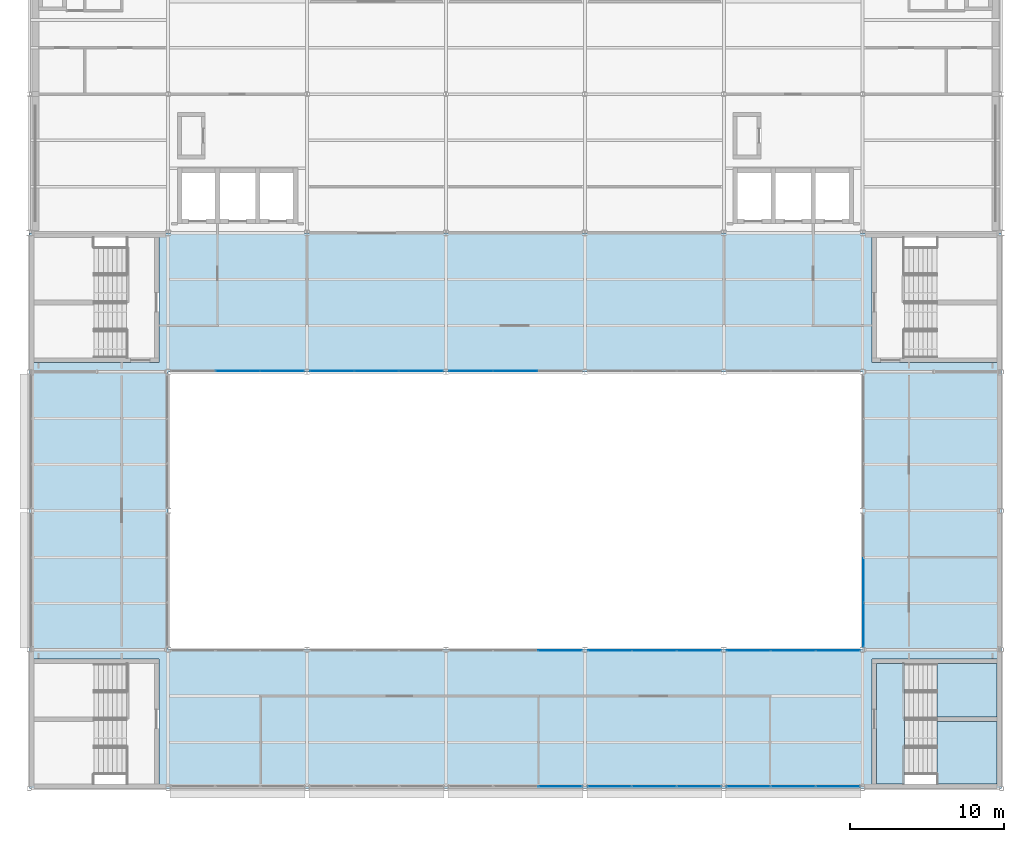
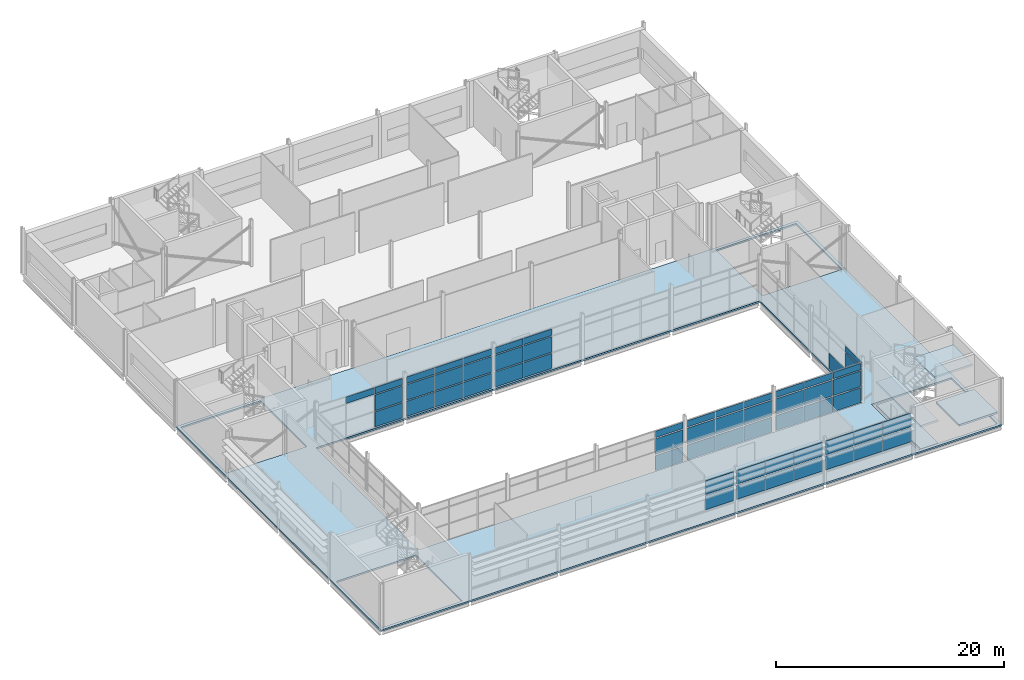
# One storey, part 46 of 61: 58 plates, 5 slabs, 11 elements without a shape of their own.
"""IFC4 building model written with IfcOpenShell, lengths in metres."""

import ifcopenshell
import ifcopenshell.guid

model = None  # the IFC model being written
_history = None  # IfcOwnerHistory: only IFC2X3 demands one
_inside = {}  # id of a spatial element -> (the spatial element, [elements in it])
_under = {}  # id of a project, library or spatial element -> (it, [spatial elements below it])
_declared = {}  # id of a project -> (the project, [libraries it declares])
_typed = {}  # id of a type object -> (the type object, [elements of that type])
_made_of = {}  # id of a material, layer set ... -> (it, [elements and type objects made of it])


def new_model(schema):
    """Start an empty IFC model of exactly this schema.

    Asked for "IFC4X3", IfcOpenShell would pick the latest addendum, in which some entities
    have other attributes; the version numbers below select the first issue.
    IFC2X3 requires an IfcOwnerHistory on every rooted entity: one is made here for all.
    """
    global model, _history
    if schema == "IFC4X3":
        model = ifcopenshell.file(schema_version=(4, 3, 0, 0))
    else:
        model = ifcopenshell.file(schema=schema)
    _inside.clear()
    _under.clear()
    _declared.clear()
    _typed.clear()
    _made_of.clear()
    _history = None
    if model.schema == "IFC2X3":
        org = make("IfcOrganization", Name="unknown")
        user = make(
            "IfcPersonAndOrganization",
            ThePerson=make("IfcPerson", FamilyName="unknown"),
            TheOrganization=org,
        )
        app = make(
            "IfcApplication",
            ApplicationDeveloper=org,
            Version="unknown",
            ApplicationFullName="unknown",
            ApplicationIdentifier="unknown",
        )
        _history = make(
            "IfcOwnerHistory",
            OwningUser=user,
            OwningApplication=app,
            ChangeAction="ADDED",
            CreationDate=0,
        )
    return model


def make(cls, **values):
    """One entity of the class cls with the attributes given. An attribute that is None is left unset."""
    return model.create_entity(
        cls, **{name: value for name, value in values.items() if value is not None}
    )


def rooted(cls, **values):
    """An entity with a GlobalId (a new one), such as an element, a storey or a relation."""
    return make(cls, GlobalId=ifcopenshell.guid.new(), OwnerHistory=_history, **values)


def si_unit(unit_type, name, prefix=None):
    """IfcSIUnit, for example si_unit("LENGTHUNIT", "METRE", prefix="MILLI")."""
    return make("IfcSIUnit", UnitType=unit_type, Prefix=prefix, Name=name)


def assignment(units):
    """IfcUnitAssignment: the units of a project."""
    return None if units is None else make("IfcUnitAssignment", Units=units)


def point(xyz):
    """IfcCartesianPoint."""
    return None if xyz is None else make("IfcCartesianPoint", Coordinates=xyz)


def direction(xyz):
    """IfcDirection."""
    return None if xyz is None else make("IfcDirection", DirectionRatios=xyz)


def frame(location, z_axis=None, x_axis=None):
    """IfcAxis2Placement3D, a coordinate frame: its origin and axes. An axis left out is left unset."""
    return make(
        "IfcAxis2Placement3D",
        Location=point(location),
        Axis=direction(z_axis),
        RefDirection=direction(x_axis),
    )


def frame_2d(location, x_axis=None):
    """IfcAxis2Placement2D, a coordinate frame in the plane: its origin and x axis."""
    return make(
        "IfcAxis2Placement2D", Location=point(location), RefDirection=direction(x_axis)
    )


def origin():
    """The frame at (0, 0, 0) with its axes left unset."""
    return frame((0.0, 0.0, 0.0))


def origin_2d():
    """The frame at (0, 0) in the plane with its x axis left unset."""
    return frame_2d((0.0, 0.0))


def place(relative_to, where):
    """IfcLocalPlacement: puts the frame where relative to a parent placement (None: the world)."""
    return make(
        "IfcLocalPlacement", PlacementRelTo=relative_to, RelativePlacement=where
    )


def context(
    kind, dimensions, precision=None, world=None, true_north=None, identifier=None
):
    """IfcGeometricRepresentationContext, for example the 3D "Model" context."""
    return make(
        "IfcGeometricRepresentationContext",
        ContextIdentifier=identifier,
        ContextType=kind,
        CoordinateSpaceDimension=dimensions,
        Precision=precision,
        WorldCoordinateSystem=world,
        TrueNorth=true_north,
    )


def subcontext(parent, identifier, kind, view, scale=None):
    """IfcGeometricRepresentationSubContext, for example "Body" below "Model"."""
    return make(
        "IfcGeometricRepresentationSubContext",
        ContextIdentifier=identifier,
        ContextType=kind,
        ParentContext=parent,
        TargetScale=scale,
        TargetView=view,
    )


def project(units=None, contexts=None):
    """IfcProject with its units and contexts."""
    return rooted(
        "IfcProject",
        Name="project",
        RepresentationContexts=contexts,
        UnitsInContext=assignment(units),
    )


def spatial(cls, under=None, at=None, **own):
    """A site, building, storey or space (cls), placed at a placement, below another one or the project."""
    s = rooted(cls, ObjectPlacement=at, **own)
    if under is not None:
        _under.setdefault(under.id(), (under, []))[1].append(s)
    return s


def polyline(points):
    """IfcPolyline through the points."""
    return make("IfcPolyline", Points=[point(p) for p in points])


def profile(cls, at=None, kind="AREA", **sizes):
    """A parametric profile (cls). Its sizes go by their IFC names, for example OverallWidth=200.0."""
    return make(cls, ProfileType=kind, Position=at, **sizes)


def rectangle(**sizes):
    """IfcRectangleProfileDef."""
    return profile("IfcRectangleProfileDef", **sizes)


def outline(outer, holes=None, kind="AREA"):
    """IfcArbitraryClosedProfileDef: a profile drawn as a closed curve; with holes, ...WithVoids."""
    if holes is None:
        return make("IfcArbitraryClosedProfileDef", ProfileType=kind, OuterCurve=outer)
    return make(
        "IfcArbitraryProfileDefWithVoids",
        ProfileType=kind,
        OuterCurve=outer,
        InnerCurves=holes,
    )


def extrude(swept, where, along, depth):
    """IfcExtrudedAreaSolid: the profile swept, set in the frame where, extruded along a direction by depth."""
    return make(
        "IfcExtrudedAreaSolid",
        SweptArea=swept,
        Position=where,
        ExtrudedDirection=direction(along),
        Depth=depth,
    )


def shape(context_of_items, identifier, shape_type, items):
    """IfcShapeRepresentation: the items that make up one representation, for example the "Body"."""
    return make(
        "IfcShapeRepresentation",
        ContextOfItems=context_of_items,
        RepresentationIdentifier=identifier,
        RepresentationType=shape_type,
        Items=items,
    )


def material(Name=None, Category=None):
    """IfcMaterial."""
    return make("IfcMaterial", Name=Name, Category=Category)


def layer(
    of_material, thickness, ventilated=None, Name=None, Category=None, Priority=None
):
    """IfcMaterialLayer: one layer of a wall or slab, of a material (None: an air gap)."""
    return make(
        "IfcMaterialLayer",
        Material=of_material,
        LayerThickness=thickness,
        IsVentilated=ventilated,
        Name=Name,
        Category=Category,
        Priority=Priority,
    )


def layer_set(layers, Name=None):
    """IfcMaterialLayerSet."""
    return make("IfcMaterialLayerSet", MaterialLayers=layers, LayerSetName=Name)


def made_of(thing, what):
    """Note that an element or type object is made of a material, layer set ...; save() writes the relation."""
    if what is not None:
        _made_of.setdefault(what.id(), (what, []))[1].append(thing)
    return thing


def type_object(cls, material=None, **own):
    """A type object (cls), such as IfcWallType, which elements share."""
    return made_of(rooted(cls, **own), material)


def element(
    cls,
    number,
    at=None,
    inside=None,
    cuts=None,
    type_object=None,
    material=None,
    context=None,
    identifier="Body",
    shape_type=None,
    held_by="IfcProductDefinitionShape",
    body=None,
    shapes=None,
    **own,
):
    """One element of the class cls, such as IfcWall. Its Tag is "e" and its number.

    at: its placement. inside: the storey or other place that contains it. cuts: it is an
    opening in that element (IfcRelVoidsElement). A single representation is given by context,
    identifier, shape_type and body (its items); several are given by shapes. held_by: the class
    of the entity that holds the representations. save() writes the other relations.
    """
    e = rooted(cls, Tag="e%d" % number, ObjectPlacement=at, **own)
    if body is not None:
        shapes = [shape(context, identifier, shape_type, body)]
    if shapes is not None:
        e.Representation = make(held_by, Representations=shapes)
    if inside is not None:
        _inside.setdefault(inside.id(), (inside, []))[1].append(e)
    if cuts is not None:
        rooted(
            "IfcRelVoidsElement", RelatingBuildingElement=cuts, RelatedOpeningElement=e
        )
    if type_object is not None:
        _typed.setdefault(type_object.id(), (type_object, []))[1].append(e)
    return made_of(e, material)


def aggregate(whole, parts):
    """IfcRelAggregates: a whole, such as a stair, and the parts it consists of."""
    return rooted("IfcRelAggregates", RelatingObject=whole, RelatedObjects=parts)


def save(model, path):
    """Write the relations noted so far, then the file.

    IfcRelAggregates (storeys below a building ...), IfcRelContainedInSpatialStructure (elements
    in a storey), IfcRelDefinesByType, IfcRelAssociatesMaterial and IfcRelDeclares: one each for
    every whole, place, type object, material and project.
    """
    for whole, parts in _under.values():
        aggregate(whole, parts)
    for where, things in _inside.values():
        rooted(
            "IfcRelContainedInSpatialStructure",
            RelatedElements=things,
            RelatingStructure=where,
        )
    for kind, things in _typed.values():
        rooted("IfcRelDefinesByType", RelatedObjects=things, RelatingType=kind)
    for what, things in _made_of.values():
        rooted("IfcRelAssociatesMaterial", RelatedObjects=things, RelatingMaterial=what)
    for by, libraries in _declared.values():
        rooted("IfcRelDeclares", RelatingContext=by, RelatedDefinitions=libraries)
    model.write(path)


model = new_model("IFC4")

# Units and contexts
model_context = context("Model", 3, precision=1e-05, world=origin(), true_north=direction((0.0, 1.0)))
body_context = subcontext(model_context, "Body", "Model", "MODEL_VIEW")
ifc_project = project(units=[si_unit("LENGTHUNIT", "METRE"), si_unit("AREAUNIT", "SQUARE_METRE"), si_unit("VOLUMEUNIT", "CUBIC_METRE"), si_unit("PLANEANGLEUNIT", "RADIAN"), si_unit("MASSUNIT", "GRAM", prefix="KILO")], contexts=[model_context])

# Site, building, storey
site_placement = place(None, origin())
site = spatial("IfcSite", under=ifc_project, at=site_placement, CompositionType="ELEMENT")
building_placement = place(site_placement, origin())
building = spatial("IfcBuilding", under=site, at=building_placement, Name="Shorebreak Coast Museum", CompositionType="ELEMENT")
storey_placement = place(building_placement, frame((0.0, 0.0, 26.0)))
storey = spatial("IfcBuildingStorey", under=building, at=storey_placement, Name="L04", CompositionType="ELEMENT", Elevation=26.0)

# Curtain wall, plates
ifc_material_1 = material(Name="Aluminium", Category="aluminium")
ifc_layer_1 = layer(ifc_material_1, 0.1201171875)
ifc_layer_set_1 = layer_set([ifc_layer_1], Name="Aluminium")
curtain_wall_type_1 = type_object("IfcCurtainWallType", Name="Atrium fire screen", PredefinedType="NOTDEFINED", material=ifc_layer_set_1)
curtain_wall_1_placement = place(storey_placement, origin())
curtain_wall_1 = element("IfcCurtainWall", 1, at=curtain_wall_1_placement, inside=storey, type_object=curtain_wall_type_1, Name="Atrium screen L04 S 51", PredefinedType="NOTDEFINED")
ifc_material_2 = material(Name="Glass", Category="glass")
ifc_layer_2 = layer(ifc_material_2, 0.034912109375)
ifc_layer_set_2 = layer_set([ifc_layer_2], Name="Glass")
plate_type_1 = type_object("IfcPlateType", Name="Fire-resisting glass panel 35", PredefinedType="CURTAIN_PANEL", material=ifc_layer_set_2)
plate_1_placement = place(storey_placement, frame((88.38525390625, 62.93994140625, 0.119873046875), z_axis=(0.0, 0.0, 1.0), x_axis=(1.0, 0.0, 0.0)))
plate_1 = element("IfcPlate", 2, at=plate_1_placement, type_object=plate_type_1, Name="CW4 panel 3.1", PredefinedType="CURTAIN_PANEL", context=body_context, shape_type="SweptSolid", body=[
    extrude(rectangle(XDim=2.82275390625, YDim=0.034912109375, at=origin_2d()), origin(), (0.0, 0.0, 1.0), 1.6201171875),
])
plate_2_placement = place(storey_placement, frame((88.38525390625, 62.93994140625, 1.85986328125), z_axis=(0.0, 0.0, 1.0), x_axis=(1.0, 0.0, 0.0)))
plate_2 = element("IfcPlate", 3, at=plate_2_placement, type_object=plate_type_1, Name="CW4 panel 3.2", PredefinedType="CURTAIN_PANEL", context=body_context, shape_type="SweptSolid", body=[
    extrude(rectangle(XDim=2.82275390625, YDim=0.034912109375, at=origin_2d()), origin(), (0.0, 0.0, 1.0), 1.679931640625),
])
plate_3_placement = place(storey_placement, frame((88.38525390625, 62.93994140625, 3.659912109375), z_axis=(0.0, 0.0, 1.0), x_axis=(1.0, 0.0, 0.0)))
plate_3 = element("IfcPlate", 4, at=plate_3_placement, type_object=plate_type_1, Name="CW4 panel 3.3", PredefinedType="CURTAIN_PANEL", context=body_context, shape_type="SweptSolid", body=[
    extrude(rectangle(XDim=2.82275390625, YDim=0.034912109375, at=origin_2d()), origin(), (0.0, 0.0, 1.0), 0.689453125),
])
aggregate(curtain_wall_1, [plate_1, plate_2, plate_3])

curtain_wall_2_placement = place(storey_placement, origin())
curtain_wall_2 = element("IfcCurtainWall", 5, at=curtain_wall_2_placement, inside=storey, type_object=curtain_wall_type_1, Name="Atrium screen L04 S 52", PredefinedType="NOTDEFINED")
plate_4_placement = place(storey_placement, frame((91.61474609375, 62.93994140625, 0.119873046875), z_axis=(0.0, 0.0, 1.0), x_axis=(1.0, 0.0, 0.0)))
plate_4 = element("IfcPlate", 6, at=plate_4_placement, type_object=plate_type_1, Name="CW5 panel 1.1", PredefinedType="CURTAIN_PANEL", context=body_context, shape_type="SweptSolid", body=[
    extrude(rectangle(XDim=2.82275390625, YDim=0.034912109375, at=origin_2d()), origin(), (0.0, 0.0, 1.0), 1.6201171875),
])
plate_5_placement = place(storey_placement, frame((91.61474609375, 62.93994140625, 1.85986328125), z_axis=(0.0, 0.0, 1.0), x_axis=(1.0, 0.0, 0.0)))
plate_5 = element("IfcPlate", 7, at=plate_5_placement, type_object=plate_type_1, Name="CW5 panel 1.2", PredefinedType="CURTAIN_PANEL", context=body_context, shape_type="SweptSolid", body=[
    extrude(rectangle(XDim=2.82275390625, YDim=0.034912109375, at=origin_2d()), origin(), (0.0, 0.0, 1.0), 1.679931640625),
])
plate_6_placement = place(storey_placement, frame((91.61474609375, 62.93994140625, 3.659912109375), z_axis=(0.0, 0.0, 1.0), x_axis=(1.0, 0.0, 0.0)))
plate_6 = element("IfcPlate", 8, at=plate_6_placement, type_object=plate_type_1, Name="CW5 panel 1.3", PredefinedType="CURTAIN_PANEL", context=body_context, shape_type="SweptSolid", body=[
    extrude(rectangle(XDim=2.82275390625, YDim=0.034912109375, at=origin_2d()), origin(), (0.0, 0.0, 1.0), 0.689453125),
])
plate_7_placement = place(storey_placement, frame((94.5, 62.93994140625, 0.119873046875), z_axis=(0.0, 0.0, 1.0), x_axis=(1.0, 0.0, 0.0)))
plate_7 = element("IfcPlate", 9, at=plate_7_placement, type_object=plate_type_1, Name="CW5 panel 2.1", PredefinedType="CURTAIN_PANEL", context=body_context, shape_type="SweptSolid", body=[
    extrude(rectangle(XDim=2.84765625, YDim=0.034912109375, at=origin_2d()), origin(), (0.0, 0.0, 1.0), 1.6201171875),
])
plate_8_placement = place(storey_placement, frame((94.5, 62.93994140625, 1.85986328125), z_axis=(0.0, 0.0, 1.0), x_axis=(1.0, 0.0, 0.0)))
plate_8 = element("IfcPlate", 10, at=plate_8_placement, type_object=plate_type_1, Name="CW5 panel 2.2", PredefinedType="CURTAIN_PANEL", context=body_context, shape_type="SweptSolid", body=[
    extrude(rectangle(XDim=2.84765625, YDim=0.034912109375, at=origin_2d()), origin(), (0.0, 0.0, 1.0), 1.679931640625),
])
plate_9_placement = place(storey_placement, frame((94.5, 62.93994140625, 3.659912109375), z_axis=(0.0, 0.0, 1.0), x_axis=(1.0, 0.0, 0.0)))
plate_9 = element("IfcPlate", 11, at=plate_9_placement, type_object=plate_type_1, Name="CW5 panel 2.3", PredefinedType="CURTAIN_PANEL", context=body_context, shape_type="SweptSolid", body=[
    extrude(rectangle(XDim=2.84765625, YDim=0.034912109375, at=origin_2d()), origin(), (0.0, 0.0, 1.0), 0.689453125),
])
plate_10_placement = place(storey_placement, frame((97.38525390625, 62.93994140625, 0.119873046875), z_axis=(0.0, 0.0, 1.0), x_axis=(1.0, 0.0, 0.0)))
plate_10 = element("IfcPlate", 12, at=plate_10_placement, type_object=plate_type_1, Name="CW5 panel 3.1", PredefinedType="CURTAIN_PANEL", context=body_context, shape_type="SweptSolid", body=[
    extrude(rectangle(XDim=2.82275390625, YDim=0.034912109375, at=origin_2d()), origin(), (0.0, 0.0, 1.0), 1.6201171875),
])
plate_11_placement = place(storey_placement, frame((97.38525390625, 62.93994140625, 1.85986328125), z_axis=(0.0, 0.0, 1.0), x_axis=(1.0, 0.0, 0.0)))
plate_11 = element("IfcPlate", 13, at=plate_11_placement, type_object=plate_type_1, Name="CW5 panel 3.2", PredefinedType="CURTAIN_PANEL", context=body_context, shape_type="SweptSolid", body=[
    extrude(rectangle(XDim=2.82275390625, YDim=0.034912109375, at=origin_2d()), origin(), (0.0, 0.0, 1.0), 1.679931640625),
])
plate_12_placement = place(storey_placement, frame((97.38525390625, 62.93994140625, 3.659912109375), z_axis=(0.0, 0.0, 1.0), x_axis=(1.0, 0.0, 0.0)))
plate_12 = element("IfcPlate", 14, at=plate_12_placement, type_object=plate_type_1, Name="CW5 panel 3.3", PredefinedType="CURTAIN_PANEL", context=body_context, shape_type="SweptSolid", body=[
    extrude(rectangle(XDim=2.82275390625, YDim=0.034912109375, at=origin_2d()), origin(), (0.0, 0.0, 1.0), 0.689453125),
])
aggregate(curtain_wall_2, [plate_4, plate_5, plate_6, plate_7, plate_8, plate_9, plate_10, plate_11, plate_12])

curtain_wall_3_placement = place(storey_placement, origin())
curtain_wall_3 = element("IfcCurtainWall", 15, at=curtain_wall_3_placement, inside=storey, type_object=curtain_wall_type_1, Name="Atrium screen L04 S 53", PredefinedType="NOTDEFINED")
plate_13_placement = place(storey_placement, frame((100.61474609375, 62.93994140625, 0.119873046875), z_axis=(0.0, 0.0, 1.0), x_axis=(1.0, 0.0, 0.0)))
plate_13 = element("IfcPlate", 16, at=plate_13_placement, type_object=plate_type_1, Name="CW6 panel 1.1", PredefinedType="CURTAIN_PANEL", context=body_context, shape_type="SweptSolid", body=[
    extrude(rectangle(XDim=2.82275390625, YDim=0.034912109375, at=origin_2d()), origin(), (0.0, 0.0, 1.0), 1.6201171875),
])
plate_14_placement = place(storey_placement, frame((100.61474609375, 62.93994140625, 1.85986328125), z_axis=(0.0, 0.0, 1.0), x_axis=(1.0, 0.0, 0.0)))
plate_14 = element("IfcPlate", 17, at=plate_14_placement, type_object=plate_type_1, Name="CW6 panel 1.2", PredefinedType="CURTAIN_PANEL", context=body_context, shape_type="SweptSolid", body=[
    extrude(rectangle(XDim=2.82275390625, YDim=0.034912109375, at=origin_2d()), origin(), (0.0, 0.0, 1.0), 1.679931640625),
])
plate_15_placement = place(storey_placement, frame((100.61474609375, 62.93994140625, 3.659912109375), z_axis=(0.0, 0.0, 1.0), x_axis=(1.0, 0.0, 0.0)))
plate_15 = element("IfcPlate", 18, at=plate_15_placement, type_object=plate_type_1, Name="CW6 panel 1.3", PredefinedType="CURTAIN_PANEL", context=body_context, shape_type="SweptSolid", body=[
    extrude(rectangle(XDim=2.82275390625, YDim=0.034912109375, at=origin_2d()), origin(), (0.0, 0.0, 1.0), 0.689453125),
])
plate_16_placement = place(storey_placement, frame((103.5, 62.93994140625, 0.119873046875), z_axis=(0.0, 0.0, 1.0), x_axis=(1.0, 0.0, 0.0)))
plate_16 = element("IfcPlate", 19, at=plate_16_placement, type_object=plate_type_1, Name="CW6 panel 2.1", PredefinedType="CURTAIN_PANEL", context=body_context, shape_type="SweptSolid", body=[
    extrude(rectangle(XDim=2.84765625, YDim=0.034912109375, at=origin_2d()), origin(), (0.0, 0.0, 1.0), 1.6201171875),
])
plate_17_placement = place(storey_placement, frame((103.5, 62.93994140625, 1.85986328125), z_axis=(0.0, 0.0, 1.0), x_axis=(1.0, 0.0, 0.0)))
plate_17 = element("IfcPlate", 20, at=plate_17_placement, type_object=plate_type_1, Name="CW6 panel 2.2", PredefinedType="CURTAIN_PANEL", context=body_context, shape_type="SweptSolid", body=[
    extrude(rectangle(XDim=2.84765625, YDim=0.034912109375, at=origin_2d()), origin(), (0.0, 0.0, 1.0), 1.679931640625),
])
plate_18_placement = place(storey_placement, frame((103.5, 62.93994140625, 3.659912109375), z_axis=(0.0, 0.0, 1.0), x_axis=(1.0, 0.0, 0.0)))
plate_18 = element("IfcPlate", 21, at=plate_18_placement, type_object=plate_type_1, Name="CW6 panel 2.3", PredefinedType="CURTAIN_PANEL", context=body_context, shape_type="SweptSolid", body=[
    extrude(rectangle(XDim=2.84765625, YDim=0.034912109375, at=origin_2d()), origin(), (0.0, 0.0, 1.0), 0.689453125),
])
plate_19_placement = place(storey_placement, frame((106.38525390625, 62.93994140625, 0.119873046875), z_axis=(0.0, 0.0, 1.0), x_axis=(1.0, 0.0, 0.0)))
plate_19 = element("IfcPlate", 22, at=plate_19_placement, type_object=plate_type_1, Name="CW6 panel 3.1", PredefinedType="CURTAIN_PANEL", context=body_context, shape_type="SweptSolid", body=[
    extrude(rectangle(XDim=2.82275390625, YDim=0.034912109375, at=origin_2d()), origin(), (0.0, 0.0, 1.0), 1.6201171875),
])
plate_20_placement = place(storey_placement, frame((106.38525390625, 62.93994140625, 1.85986328125), z_axis=(0.0, 0.0, 1.0), x_axis=(1.0, 0.0, 0.0)))
plate_20 = element("IfcPlate", 23, at=plate_20_placement, type_object=plate_type_1, Name="CW6 panel 3.2", PredefinedType="CURTAIN_PANEL", context=body_context, shape_type="SweptSolid", body=[
    extrude(rectangle(XDim=2.82275390625, YDim=0.034912109375, at=origin_2d()), origin(), (0.0, 0.0, 1.0), 1.679931640625),
])
plate_21_placement = place(storey_placement, frame((106.38525390625, 62.93994140625, 3.659912109375), z_axis=(0.0, 0.0, 1.0), x_axis=(1.0, 0.0, 0.0)))
plate_21 = element("IfcPlate", 24, at=plate_21_placement, type_object=plate_type_1, Name="CW6 panel 3.3", PredefinedType="CURTAIN_PANEL", context=body_context, shape_type="SweptSolid", body=[
    extrude(rectangle(XDim=2.82275390625, YDim=0.034912109375, at=origin_2d()), origin(), (0.0, 0.0, 1.0), 0.689453125),
])
aggregate(curtain_wall_3, [plate_13, plate_14, plate_15, plate_16, plate_17, plate_18, plate_19, plate_20, plate_21])

curtain_wall_4_placement = place(storey_placement, origin())
curtain_wall_4 = element("IfcCurtainWall", 25, at=curtain_wall_4_placement, inside=storey, type_object=curtain_wall_type_1, Name="Atrium screen L04 N 54", PredefinedType="NOTDEFINED")
plate_22_placement = place(storey_placement, frame((67.5, 81.06005859375, 3.659912109375), z_axis=(0.0, 0.0, 1.0), x_axis=(1.0, 0.0, 0.0)))
plate_22 = element("IfcPlate", 26, at=plate_22_placement, type_object=plate_type_1, Name="CW4 panel 2.3", PredefinedType="CURTAIN_PANEL", context=body_context, shape_type="SweptSolid", body=[
    extrude(rectangle(XDim=2.84765625, YDim=0.034912109375, at=origin_2d()), origin(), (0.0, 0.0, 1.0), 0.689453125),
])
plate_23_placement = place(storey_placement, frame((70.38525390625, 81.06005859375, 0.119873046875), z_axis=(0.0, 0.0, 1.0), x_axis=(1.0, 0.0, 0.0)))
plate_23 = element("IfcPlate", 27, at=plate_23_placement, type_object=plate_type_1, Name="CW4 panel 3.1", PredefinedType="CURTAIN_PANEL", context=body_context, shape_type="SweptSolid", body=[
    extrude(rectangle(XDim=2.82275390625, YDim=0.034912109375, at=origin_2d()), origin(), (0.0, 0.0, 1.0), 1.6201171875),
])
plate_24_placement = place(storey_placement, frame((70.38525390625, 81.06005859375, 1.85986328125), z_axis=(0.0, 0.0, 1.0), x_axis=(1.0, 0.0, 0.0)))
plate_24 = element("IfcPlate", 28, at=plate_24_placement, type_object=plate_type_1, Name="CW4 panel 3.2", PredefinedType="CURTAIN_PANEL", context=body_context, shape_type="SweptSolid", body=[
    extrude(rectangle(XDim=2.82275390625, YDim=0.034912109375, at=origin_2d()), origin(), (0.0, 0.0, 1.0), 1.679931640625),
])
plate_25_placement = place(storey_placement, frame((70.38525390625, 81.06005859375, 3.659912109375), z_axis=(0.0, 0.0, 1.0), x_axis=(1.0, 0.0, 0.0)))
plate_25 = element("IfcPlate", 29, at=plate_25_placement, type_object=plate_type_1, Name="CW4 panel 3.3", PredefinedType="CURTAIN_PANEL", context=body_context, shape_type="SweptSolid", body=[
    extrude(rectangle(XDim=2.82275390625, YDim=0.034912109375, at=origin_2d()), origin(), (0.0, 0.0, 1.0), 0.689453125),
])
aggregate(curtain_wall_4, [plate_22, plate_23, plate_24, plate_25])

curtain_wall_5_placement = place(storey_placement, origin())
curtain_wall_5 = element("IfcCurtainWall", 30, at=curtain_wall_5_placement, inside=storey, type_object=curtain_wall_type_1, Name="Atrium screen L04 N 55", PredefinedType="NOTDEFINED")
plate_26_placement = place(storey_placement, frame((73.61474609375, 81.06005859375, 0.119873046875), z_axis=(0.0, 0.0, 1.0), x_axis=(1.0, 0.0, 0.0)))
plate_26 = element("IfcPlate", 31, at=plate_26_placement, type_object=plate_type_1, Name="CW5 panel 1.1", PredefinedType="CURTAIN_PANEL", context=body_context, shape_type="SweptSolid", body=[
    extrude(rectangle(XDim=2.82275390625, YDim=0.034912109375, at=origin_2d()), origin(), (0.0, 0.0, 1.0), 1.6201171875),
])
plate_27_placement = place(storey_placement, frame((73.61474609375, 81.06005859375, 1.85986328125), z_axis=(0.0, 0.0, 1.0), x_axis=(1.0, 0.0, 0.0)))
plate_27 = element("IfcPlate", 32, at=plate_27_placement, type_object=plate_type_1, Name="CW5 panel 1.2", PredefinedType="CURTAIN_PANEL", context=body_context, shape_type="SweptSolid", body=[
    extrude(rectangle(XDim=2.82275390625, YDim=0.034912109375, at=origin_2d()), origin(), (0.0, 0.0, 1.0), 1.679931640625),
])
plate_28_placement = place(storey_placement, frame((73.61474609375, 81.06005859375, 3.659912109375), z_axis=(0.0, 0.0, 1.0), x_axis=(1.0, 0.0, 0.0)))
plate_28 = element("IfcPlate", 33, at=plate_28_placement, type_object=plate_type_1, Name="CW5 panel 1.3", PredefinedType="CURTAIN_PANEL", context=body_context, shape_type="SweptSolid", body=[
    extrude(rectangle(XDim=2.82275390625, YDim=0.034912109375, at=origin_2d()), origin(), (0.0, 0.0, 1.0), 0.689453125),
])
plate_29_placement = place(storey_placement, frame((76.5, 81.06005859375, 0.119873046875), z_axis=(0.0, 0.0, 1.0), x_axis=(1.0, 0.0, 0.0)))
plate_29 = element("IfcPlate", 34, at=plate_29_placement, type_object=plate_type_1, Name="CW5 panel 2.1", PredefinedType="CURTAIN_PANEL", context=body_context, shape_type="SweptSolid", body=[
    extrude(rectangle(XDim=2.84765625, YDim=0.034912109375, at=origin_2d()), origin(), (0.0, 0.0, 1.0), 1.6201171875),
])
plate_30_placement = place(storey_placement, frame((76.5, 81.06005859375, 1.85986328125), z_axis=(0.0, 0.0, 1.0), x_axis=(1.0, 0.0, 0.0)))
plate_30 = element("IfcPlate", 35, at=plate_30_placement, type_object=plate_type_1, Name="CW5 panel 2.2", PredefinedType="CURTAIN_PANEL", context=body_context, shape_type="SweptSolid", body=[
    extrude(rectangle(XDim=2.84765625, YDim=0.034912109375, at=origin_2d()), origin(), (0.0, 0.0, 1.0), 1.679931640625),
])
plate_31_placement = place(storey_placement, frame((76.5, 81.06005859375, 3.659912109375), z_axis=(0.0, 0.0, 1.0), x_axis=(1.0, 0.0, 0.0)))
plate_31 = element("IfcPlate", 36, at=plate_31_placement, type_object=plate_type_1, Name="CW5 panel 2.3", PredefinedType="CURTAIN_PANEL", context=body_context, shape_type="SweptSolid", body=[
    extrude(rectangle(XDim=2.84765625, YDim=0.034912109375, at=origin_2d()), origin(), (0.0, 0.0, 1.0), 0.689453125),
])
plate_32_placement = place(storey_placement, frame((79.38525390625, 81.06005859375, 0.119873046875), z_axis=(0.0, 0.0, 1.0), x_axis=(1.0, 0.0, 0.0)))
plate_32 = element("IfcPlate", 37, at=plate_32_placement, type_object=plate_type_1, Name="CW5 panel 3.1", PredefinedType="CURTAIN_PANEL", context=body_context, shape_type="SweptSolid", body=[
    extrude(rectangle(XDim=2.82275390625, YDim=0.034912109375, at=origin_2d()), origin(), (0.0, 0.0, 1.0), 1.6201171875),
])
plate_33_placement = place(storey_placement, frame((79.38525390625, 81.06005859375, 1.85986328125), z_axis=(0.0, 0.0, 1.0), x_axis=(1.0, 0.0, 0.0)))
plate_33 = element("IfcPlate", 38, at=plate_33_placement, type_object=plate_type_1, Name="CW5 panel 3.2", PredefinedType="CURTAIN_PANEL", context=body_context, shape_type="SweptSolid", body=[
    extrude(rectangle(XDim=2.82275390625, YDim=0.034912109375, at=origin_2d()), origin(), (0.0, 0.0, 1.0), 1.679931640625),
])
plate_34_placement = place(storey_placement, frame((79.38525390625, 81.06005859375, 3.659912109375), z_axis=(0.0, 0.0, 1.0), x_axis=(1.0, 0.0, 0.0)))
plate_34 = element("IfcPlate", 39, at=plate_34_placement, type_object=plate_type_1, Name="CW5 panel 3.3", PredefinedType="CURTAIN_PANEL", context=body_context, shape_type="SweptSolid", body=[
    extrude(rectangle(XDim=2.82275390625, YDim=0.034912109375, at=origin_2d()), origin(), (0.0, 0.0, 1.0), 0.689453125),
])
aggregate(curtain_wall_5, [plate_26, plate_27, plate_28, plate_29, plate_30, plate_31, plate_32, plate_33, plate_34])

curtain_wall_6_placement = place(storey_placement, origin())
curtain_wall_6 = element("IfcCurtainWall", 40, at=curtain_wall_6_placement, inside=storey, type_object=curtain_wall_type_1, Name="Atrium screen L04 N 56", PredefinedType="NOTDEFINED")
plate_35_placement = place(storey_placement, frame((82.61474609375, 81.06005859375, 0.119873046875), z_axis=(0.0, 0.0, 1.0), x_axis=(1.0, 0.0, 0.0)))
plate_35 = element("IfcPlate", 41, at=plate_35_placement, type_object=plate_type_1, Name="CW6 panel 1.1", PredefinedType="CURTAIN_PANEL", context=body_context, shape_type="SweptSolid", body=[
    extrude(rectangle(XDim=2.82275390625, YDim=0.034912109375, at=origin_2d()), origin(), (0.0, 0.0, 1.0), 1.6201171875),
])
plate_36_placement = place(storey_placement, frame((82.61474609375, 81.06005859375, 1.85986328125), z_axis=(0.0, 0.0, 1.0), x_axis=(1.0, 0.0, 0.0)))
plate_36 = element("IfcPlate", 42, at=plate_36_placement, type_object=plate_type_1, Name="CW6 panel 1.2", PredefinedType="CURTAIN_PANEL", context=body_context, shape_type="SweptSolid", body=[
    extrude(rectangle(XDim=2.82275390625, YDim=0.034912109375, at=origin_2d()), origin(), (0.0, 0.0, 1.0), 1.679931640625),
])
plate_37_placement = place(storey_placement, frame((82.61474609375, 81.06005859375, 3.659912109375), z_axis=(0.0, 0.0, 1.0), x_axis=(1.0, 0.0, 0.0)))
plate_37 = element("IfcPlate", 43, at=plate_37_placement, type_object=plate_type_1, Name="CW6 panel 1.3", PredefinedType="CURTAIN_PANEL", context=body_context, shape_type="SweptSolid", body=[
    extrude(rectangle(XDim=2.82275390625, YDim=0.034912109375, at=origin_2d()), origin(), (0.0, 0.0, 1.0), 0.689453125),
])
plate_38_placement = place(storey_placement, frame((85.5, 81.06005859375, 0.119873046875), z_axis=(0.0, 0.0, 1.0), x_axis=(1.0, 0.0, 0.0)))
plate_38 = element("IfcPlate", 44, at=plate_38_placement, type_object=plate_type_1, Name="CW6 panel 2.1", PredefinedType="CURTAIN_PANEL", context=body_context, shape_type="SweptSolid", body=[
    extrude(rectangle(XDim=2.84765625, YDim=0.034912109375, at=origin_2d()), origin(), (0.0, 0.0, 1.0), 1.6201171875),
])
plate_39_placement = place(storey_placement, frame((85.5, 81.06005859375, 1.85986328125), z_axis=(0.0, 0.0, 1.0), x_axis=(1.0, 0.0, 0.0)))
plate_39 = element("IfcPlate", 45, at=plate_39_placement, type_object=plate_type_1, Name="CW6 panel 2.2", PredefinedType="CURTAIN_PANEL", context=body_context, shape_type="SweptSolid", body=[
    extrude(rectangle(XDim=2.84765625, YDim=0.034912109375, at=origin_2d()), origin(), (0.0, 0.0, 1.0), 1.679931640625),
])
plate_40_placement = place(storey_placement, frame((85.5, 81.06005859375, 3.659912109375), z_axis=(0.0, 0.0, 1.0), x_axis=(1.0, 0.0, 0.0)))
plate_40 = element("IfcPlate", 46, at=plate_40_placement, type_object=plate_type_1, Name="CW6 panel 2.3", PredefinedType="CURTAIN_PANEL", context=body_context, shape_type="SweptSolid", body=[
    extrude(rectangle(XDim=2.84765625, YDim=0.034912109375, at=origin_2d()), origin(), (0.0, 0.0, 1.0), 0.689453125),
])
aggregate(curtain_wall_6, [plate_35, plate_36, plate_37, plate_38, plate_39, plate_40])

curtain_wall_7_placement = place(storey_placement, origin())
curtain_wall_7 = element("IfcCurtainWall", 47, at=curtain_wall_7_placement, inside=storey, type_object=curtain_wall_type_1, Name="Atrium screen L04 E 61", PredefinedType="NOTDEFINED")
plate_41_placement = place(storey_placement, frame((108.06005859375, 64.617431640625, 0.119873046875), z_axis=(0.0, 0.0, 1.0), x_axis=(0.0, 1.0, 0.0)))
plate_41 = element("IfcPlate", 48, at=plate_41_placement, type_object=plate_type_1, Name="CW5 panel 1.1", PredefinedType="CURTAIN_PANEL", context=body_context, shape_type="SweptSolid", body=[
    extrude(rectangle(XDim=2.820068359375, YDim=0.034912109375, at=origin_2d()), origin(), (0.0, 0.0, 1.0), 1.6201171875),
])
plate_42_placement = place(storey_placement, frame((108.06005859375, 64.617431640625, 1.85986328125), z_axis=(0.0, 0.0, 1.0), x_axis=(0.0, 1.0, 0.0)))
plate_42 = element("IfcPlate", 49, at=plate_42_placement, type_object=plate_type_1, Name="CW5 panel 1.2", PredefinedType="CURTAIN_PANEL", context=body_context, shape_type="SweptSolid", body=[
    extrude(rectangle(XDim=2.820068359375, YDim=0.034912109375, at=origin_2d()), origin(), (0.0, 0.0, 1.0), 1.679931640625),
])
plate_43_placement = place(storey_placement, frame((108.06005859375, 64.617431640625, 3.66015625), z_axis=(0.0, 0.0, 1.0), x_axis=(0.0, 1.0, 0.0)))
plate_43 = element("IfcPlate", 50, at=plate_43_placement, type_object=plate_type_1, Name="CW5 panel 1.3", PredefinedType="CURTAIN_PANEL", context=body_context, shape_type="SweptSolid", body=[
    extrude(rectangle(XDim=2.820068359375, YDim=0.034912109375, at=origin_2d()), origin(), (0.0, 0.0, 1.0), 0.584716796875),
])
plate_44_placement = place(storey_placement, frame((108.06005859375, 67.5, 0.119873046875), z_axis=(0.0, 0.0, 1.0), x_axis=(0.0, 1.0, 0.0)))
plate_44 = element("IfcPlate", 51, at=plate_44_placement, type_object=plate_type_1, Name="CW5 panel 2.1", PredefinedType="CURTAIN_PANEL", context=body_context, shape_type="SweptSolid", body=[
    extrude(rectangle(XDim=2.84521484375, YDim=0.034912109375, at=origin_2d()), origin(), (0.0, 0.0, 1.0), 1.6201171875),
])
aggregate(curtain_wall_7, [plate_41, plate_42, plate_43, plate_44])

# Slab
ifc_material_3 = material(Name="Concrete N40 (40 MPa)", Category="concrete")
ifc_layer_3 = layer(ifc_material_3, 0.175048828125)
ifc_layer_set_3 = layer_set([ifc_layer_3], Name="Concrete N40 (40 MPa)")
slab_type_1 = type_object("IfcSlabType", Name="Floor slab 175 concrete N40", PredefinedType="FLOOR", material=ifc_layer_set_3)
slab_1_placement = place(storey_placement, frame((0.0, 0.0, -0.175048828125)))
element("IfcSlab", 52, at=slab_1_placement, inside=storey, type_object=slab_type_1, Name="Floor slab L04 crossing", PredefinedType="FLOOR", context=body_context, shape_type="SweptSolid", body=[
    extrude(outline(polyline([(54.0, 54.0), (117.0, 54.0), (117.0, 90.0), (54.0, 90.0), (54.0, 54.0)]), holes=[polyline([(108.0, 81.0), (108.0, 63.0), (63.0, 63.0), (63.0, 81.0), (108.0, 81.0)]), polyline([(62.39990234375, 54.300048828125), (54.300048828125, 54.300048828125), (54.300048828125, 62.39990234375), (62.39990234375, 62.39990234375), (62.39990234375, 54.300048828125)]), polyline([(108.60009765625, 54.300048828125), (108.60009765625, 62.39990234375), (116.699951171875, 62.39990234375), (116.699951171875, 54.300048828125), (108.60009765625, 54.300048828125)]), polyline([(54.300048828125, 89.699951171875), (62.39990234375, 89.699951171875), (62.39990234375, 81.60009765625), (54.300048828125, 81.60009765625), (54.300048828125, 89.699951171875)]), polyline([(116.699951171875, 89.699951171875), (116.699951171875, 81.60009765625), (108.60009765625, 81.60009765625), (108.60009765625, 89.699951171875), (116.699951171875, 89.699951171875)])]), origin(), (0.0, 0.0, 1.0), 0.175048828125),
])

# Stair, slabs
ifc_material_4 = material(Name="Concrete N40 (40 MPa)", Category="concrete")
stair_type = type_object("IfcStairType", Name="Stair run 5 m", PredefinedType="DOUBLE_RETURN_STAIR", material=ifc_material_4)
stair_placement = place(storey_placement, origin())
stair = element("IfcStair", 53, at=stair_placement, inside=storey, type_object=stair_type, Name="Exit stair ST02-L04", PredefinedType="DOUBLE_RETURN_STAIR")
ifc_material_5 = material(Name="Concrete N40 (40 MPa)", Category="concrete")
ifc_layer_4 = layer(ifc_material_5, 0.199951171875)
ifc_layer_set_4 = layer_set([ifc_layer_4], Name="Concrete N40 (40 MPa)")
slab_type_2 = type_object("IfcSlabType", Name="Stair landing 200", PredefinedType="LANDING", material=ifc_layer_set_4)
slab_2_placement = place(storey_placement, frame((0.0, 0.0, -0.199951171875)))
slab_2 = element("IfcSlab", 54, at=slab_2_placement, type_object=slab_type_2, Name="ST02-L04 landing 1", PredefinedType="LANDING", context=body_context, shape_type="SweptSolid", body=[
    extrude(outline(polyline([(108.89990234375, 54.300048828125), (110.699951171875, 54.300048828125), (110.699951171875, 62.10009765625), (108.89990234375, 62.10009765625), (108.89990234375, 54.300048828125)])), origin(), (0.0, 0.0, 1.0), 0.199951171875),
])
slab_3_placement = place(storey_placement, frame((0.0, 0.0, 2.300048828125)))
slab_3 = element("IfcSlab", 55, at=slab_3_placement, type_object=slab_type_2, Name="ST02-L04 landing 2", PredefinedType="LANDING", context=body_context, shape_type="SweptSolid", body=[
    extrude(outline(polyline([(108.89990234375, 54.300048828125), (110.699951171875, 54.300048828125), (110.699951171875, 62.10009765625), (108.89990234375, 62.10009765625), (108.89990234375, 54.300048828125)])), origin(), (0.0, 0.0, 1.0), 0.199951171875),
])
slab_4_placement = place(storey_placement, frame((0.0, 0.0, 1.050048828125)))
slab_4 = element("IfcSlab", 56, at=slab_4_placement, type_object=slab_type_2, Name="ST02-L04 landing 3", PredefinedType="LANDING", context=body_context, shape_type="SweptSolid", body=[
    extrude(outline(polyline([(112.800048828125, 54.300048828125), (116.699951171875, 54.300048828125), (116.699951171875, 58.35009765625), (112.800048828125, 58.35009765625), (112.800048828125, 54.300048828125)])), origin(), (0.0, 0.0, 1.0), 0.199951171875),
])
slab_5_placement = place(storey_placement, frame((0.0, 0.0, 3.550048828125)))
slab_5 = element("IfcSlab", 57, at=slab_5_placement, type_object=slab_type_2, Name="ST02-L04 landing 4", PredefinedType="LANDING", context=body_context, shape_type="SweptSolid", body=[
    extrude(outline(polyline([(112.800048828125, 58.64990234375), (116.699951171875, 58.64990234375), (116.699951171875, 62.10009765625), (112.800048828125, 62.10009765625), (112.800048828125, 58.64990234375)])), origin(), (0.0, 0.0, 1.0), 0.199951171875),
])
aggregate(stair, [slab_2, slab_3, slab_4, slab_5])

# Curtain wall, plates
ifc_material_6 = material(Name="Aluminium", Category="aluminium")
ifc_layer_5 = layer(ifc_material_6, 0.14990234375)
ifc_layer_set_5 = layer_set([ifc_layer_5], Name="Aluminium")
curtain_wall_type_2 = type_object("IfcCurtainWallType", Name="Storefront curtain wall", PredefinedType="NOTDEFINED", material=ifc_layer_set_5)
curtain_wall_8_placement = place(storey_placement, origin())
curtain_wall_8 = element("IfcCurtainWall", 58, at=curtain_wall_8_placement, inside=storey, type_object=curtain_wall_type_2, Name="Atrium Hall glazing L04 S 6", PredefinedType="NOTDEFINED")
ifc_material_7 = material(Name="Glass", Category="glass")
ifc_layer_6 = layer(ifc_material_7, 0.031982421875)
ifc_layer_set_6 = layer_set([ifc_layer_6], Name="Glass")
plate_type_2 = type_object("IfcPlateType", Name="Storefront glass panel 32", PredefinedType="CURTAIN_PANEL", material=ifc_layer_set_6)
plate_45_placement = place(storey_placement, frame((88.404052734375, 54.14990234375, 1.25), z_axis=(0.0, 0.0, 1.0), x_axis=(1.0, 0.0, 0.0)))
plate_45 = element("IfcPlate", 59, at=plate_45_placement, type_object=plate_type_2, Name="CW5 panel 3.1", PredefinedType="CURTAIN_PANEL", context=body_context, shape_type="SweptSolid", body=[
    extrude(rectangle(XDim=2.841552734375, YDim=0.031982421875, at=origin_2d()), origin(), (0.0, 0.0, 1.0), 1.48388671875),
])
plate_46_placement = place(storey_placement, frame((88.404052734375, 54.14990234375, 2.8837890625), z_axis=(0.0, 0.0, 1.0), x_axis=(1.0, 0.0, 0.0)))
plate_46 = element("IfcPlate", 60, at=plate_46_placement, type_object=plate_type_2, Name="CW5 panel 3.2", PredefinedType="CURTAIN_PANEL", context=body_context, shape_type="SweptSolid", body=[
    extrude(rectangle(XDim=2.841552734375, YDim=0.031982421875, at=origin_2d()), origin(), (0.0, 0.0, 1.0), 1.48388671875),
])
aggregate(curtain_wall_8, [plate_45, plate_46])

curtain_wall_9_placement = place(storey_placement, origin())
curtain_wall_9 = element("IfcCurtainWall", 61, at=curtain_wall_9_placement, inside=storey, type_object=curtain_wall_type_2, Name="Atrium Hall glazing L04 S 7", PredefinedType="NOTDEFINED")
plate_47_placement = place(storey_placement, frame((91.595947265625, 54.14990234375, 1.25), z_axis=(0.0, 0.0, 1.0), x_axis=(1.0, 0.0, 0.0)))
plate_47 = element("IfcPlate", 62, at=plate_47_placement, type_object=plate_type_2, Name="CW5 panel 1.1", PredefinedType="CURTAIN_PANEL", context=body_context, shape_type="SweptSolid", body=[
    extrude(rectangle(XDim=2.841552734375, YDim=0.031982421875, at=origin_2d()), origin(), (0.0, 0.0, 1.0), 1.48388671875),
])
plate_48_placement = place(storey_placement, frame((91.595947265625, 54.14990234375, 2.8837890625), z_axis=(0.0, 0.0, 1.0), x_axis=(1.0, 0.0, 0.0)))
plate_48 = element("IfcPlate", 63, at=plate_48_placement, type_object=plate_type_2, Name="CW5 panel 1.2", PredefinedType="CURTAIN_PANEL", context=body_context, shape_type="SweptSolid", body=[
    extrude(rectangle(XDim=2.841552734375, YDim=0.031982421875, at=origin_2d()), origin(), (0.0, 0.0, 1.0), 1.48388671875),
])
plate_49_placement = place(storey_placement, frame((94.5, 54.14990234375, 1.25), z_axis=(0.0, 0.0, 1.0), x_axis=(1.0, 0.0, 0.0)))
plate_49 = element("IfcPlate", 64, at=plate_49_placement, type_object=plate_type_2, Name="CW5 panel 2.1", PredefinedType="CURTAIN_PANEL", context=body_context, shape_type="SweptSolid", body=[
    extrude(rectangle(XDim=2.86669921875, YDim=0.031982421875, at=origin_2d()), origin(), (0.0, 0.0, 1.0), 1.48388671875),
])
plate_50_placement = place(storey_placement, frame((94.5, 54.14990234375, 2.8837890625), z_axis=(0.0, 0.0, 1.0), x_axis=(1.0, 0.0, 0.0)))
plate_50 = element("IfcPlate", 65, at=plate_50_placement, type_object=plate_type_2, Name="CW5 panel 2.2", PredefinedType="CURTAIN_PANEL", context=body_context, shape_type="SweptSolid", body=[
    extrude(rectangle(XDim=2.86669921875, YDim=0.031982421875, at=origin_2d()), origin(), (0.0, 0.0, 1.0), 1.48388671875),
])
plate_51_placement = place(storey_placement, frame((97.404052734375, 54.14990234375, 1.25), z_axis=(0.0, 0.0, 1.0), x_axis=(1.0, 0.0, 0.0)))
plate_51 = element("IfcPlate", 66, at=plate_51_placement, type_object=plate_type_2, Name="CW5 panel 3.1", PredefinedType="CURTAIN_PANEL", context=body_context, shape_type="SweptSolid", body=[
    extrude(rectangle(XDim=2.841552734375, YDim=0.031982421875, at=origin_2d()), origin(), (0.0, 0.0, 1.0), 1.48388671875),
])
plate_52_placement = place(storey_placement, frame((97.404052734375, 54.14990234375, 2.8837890625), z_axis=(0.0, 0.0, 1.0), x_axis=(1.0, 0.0, 0.0)))
plate_52 = element("IfcPlate", 67, at=plate_52_placement, type_object=plate_type_2, Name="CW5 panel 3.2", PredefinedType="CURTAIN_PANEL", context=body_context, shape_type="SweptSolid", body=[
    extrude(rectangle(XDim=2.841552734375, YDim=0.031982421875, at=origin_2d()), origin(), (0.0, 0.0, 1.0), 1.48388671875),
])
aggregate(curtain_wall_9, [plate_47, plate_48, plate_49, plate_50, plate_51, plate_52])

curtain_wall_10_placement = place(storey_placement, origin())
curtain_wall_10 = element("IfcCurtainWall", 68, at=curtain_wall_10_placement, inside=storey, type_object=curtain_wall_type_2, Name="Atrium Hall glazing L04 S 8", PredefinedType="NOTDEFINED")
plate_53_placement = place(storey_placement, frame((100.595947265625, 54.14990234375, 1.25), z_axis=(0.0, 0.0, 1.0), x_axis=(1.0, 0.0, 0.0)))
plate_53 = element("IfcPlate", 69, at=plate_53_placement, type_object=plate_type_2, Name="CW5 panel 1.1", PredefinedType="CURTAIN_PANEL", context=body_context, shape_type="SweptSolid", body=[
    extrude(rectangle(XDim=2.841552734375, YDim=0.031982421875, at=origin_2d()), origin(), (0.0, 0.0, 1.0), 1.48388671875),
])
plate_54_placement = place(storey_placement, frame((100.595947265625, 54.14990234375, 2.8837890625), z_axis=(0.0, 0.0, 1.0), x_axis=(1.0, 0.0, 0.0)))
plate_54 = element("IfcPlate", 70, at=plate_54_placement, type_object=plate_type_2, Name="CW5 panel 1.2", PredefinedType="CURTAIN_PANEL", context=body_context, shape_type="SweptSolid", body=[
    extrude(rectangle(XDim=2.841552734375, YDim=0.031982421875, at=origin_2d()), origin(), (0.0, 0.0, 1.0), 1.48388671875),
])
plate_55_placement = place(storey_placement, frame((103.5, 54.14990234375, 1.25), z_axis=(0.0, 0.0, 1.0), x_axis=(1.0, 0.0, 0.0)))
plate_55 = element("IfcPlate", 71, at=plate_55_placement, type_object=plate_type_2, Name="CW5 panel 2.1", PredefinedType="CURTAIN_PANEL", context=body_context, shape_type="SweptSolid", body=[
    extrude(rectangle(XDim=2.86669921875, YDim=0.031982421875, at=origin_2d()), origin(), (0.0, 0.0, 1.0), 1.48388671875),
])
plate_56_placement = place(storey_placement, frame((103.5, 54.14990234375, 2.8837890625), z_axis=(0.0, 0.0, 1.0), x_axis=(1.0, 0.0, 0.0)))
plate_56 = element("IfcPlate", 72, at=plate_56_placement, type_object=plate_type_2, Name="CW5 panel 2.2", PredefinedType="CURTAIN_PANEL", context=body_context, shape_type="SweptSolid", body=[
    extrude(rectangle(XDim=2.86669921875, YDim=0.031982421875, at=origin_2d()), origin(), (0.0, 0.0, 1.0), 1.48388671875),
])
plate_57_placement = place(storey_placement, frame((106.404052734375, 54.14990234375, 1.25), z_axis=(0.0, 0.0, 1.0), x_axis=(1.0, 0.0, 0.0)))
plate_57 = element("IfcPlate", 73, at=plate_57_placement, type_object=plate_type_2, Name="CW5 panel 3.1", PredefinedType="CURTAIN_PANEL", context=body_context, shape_type="SweptSolid", body=[
    extrude(rectangle(XDim=2.841552734375, YDim=0.031982421875, at=origin_2d()), origin(), (0.0, 0.0, 1.0), 1.48388671875),
])
plate_58_placement = place(storey_placement, frame((106.404052734375, 54.14990234375, 2.8837890625), z_axis=(0.0, 0.0, 1.0), x_axis=(1.0, 0.0, 0.0)))
plate_58 = element("IfcPlate", 74, at=plate_58_placement, type_object=plate_type_2, Name="CW5 panel 3.2", PredefinedType="CURTAIN_PANEL", context=body_context, shape_type="SweptSolid", body=[
    extrude(rectangle(XDim=2.841552734375, YDim=0.031982421875, at=origin_2d()), origin(), (0.0, 0.0, 1.0), 1.48388671875),
])
aggregate(curtain_wall_10, [plate_53, plate_54, plate_55, plate_56, plate_57, plate_58])

save(model, "model.ifc")
